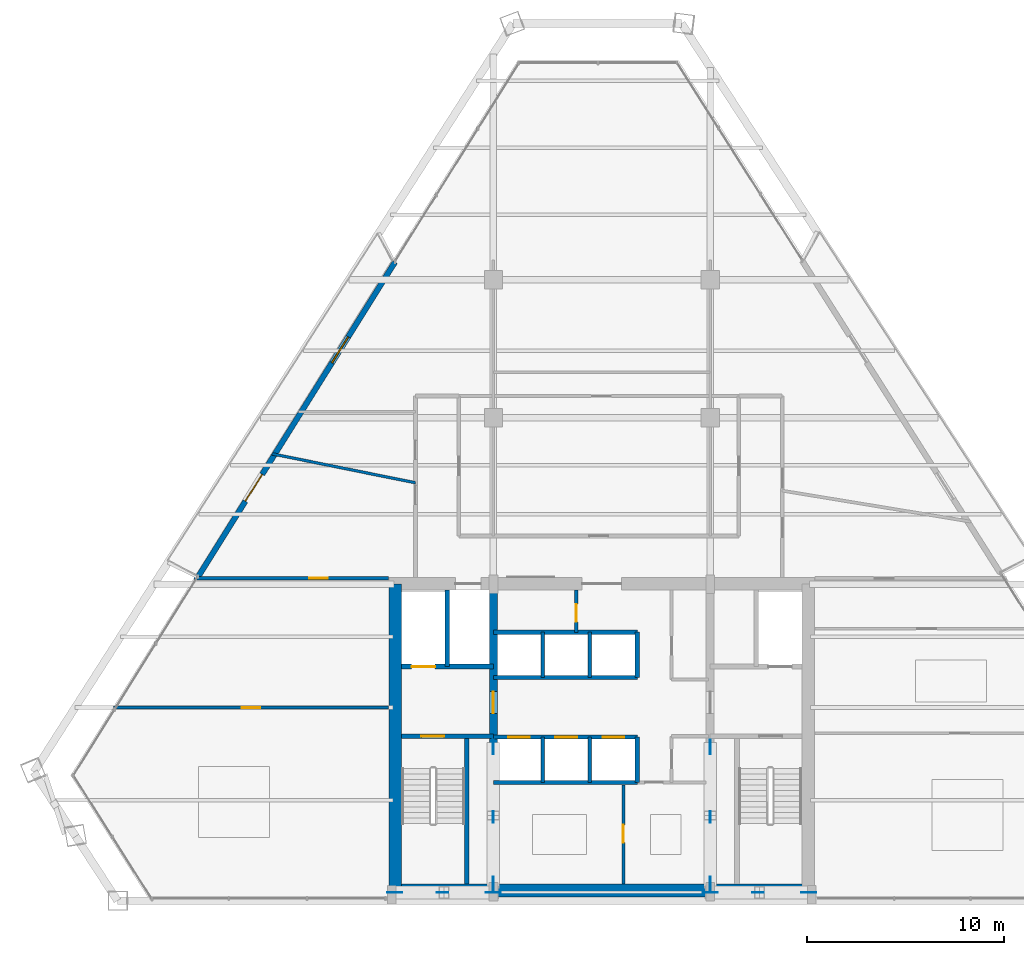
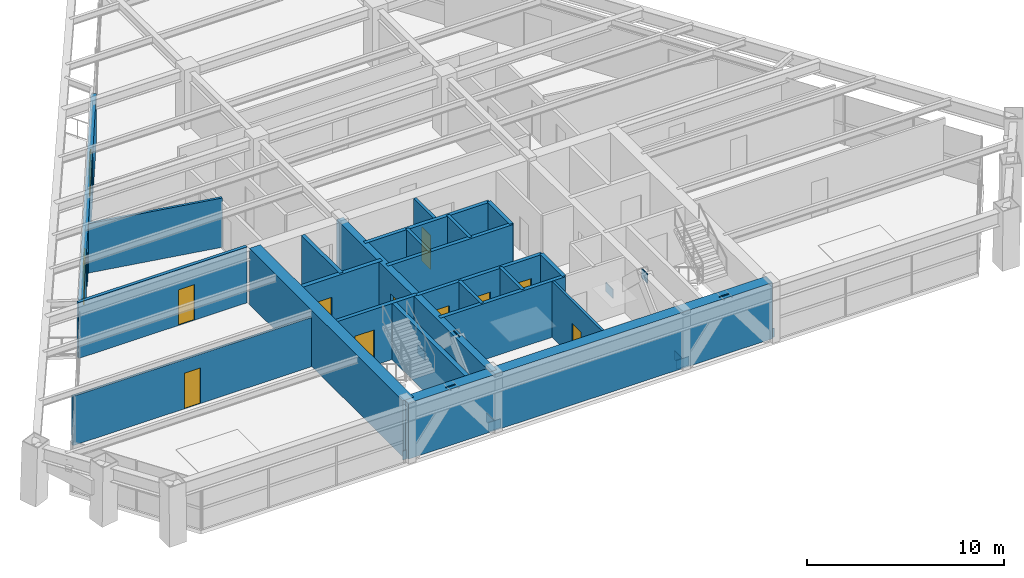
# One storey, part 11 of 15: 23 walls, 12 plates, 11 doors, 1 window, 12 openings.
"""IFC4 building model written with IfcOpenShell, lengths in metres."""

from ifc_helpers import new_model, si_unit, direction, frame, frame_2d, origin, origin_2d, place, context, subcontext, project, spatial, rectangle, extrude, source, transform, mapped, material, layer, layer_set, type_object, type_shapes, element, fill, save


model = new_model("IFC4")

# Units and contexts
model_context = context("Model", 3, precision=1e-05, world=origin(), true_north=direction((0.0, 1.0)))
body_context = subcontext(model_context, "Body", "Model", "MODEL_VIEW")
ifc_project = project(units=[si_unit("LENGTHUNIT", "METRE"), si_unit("AREAUNIT", "SQUARE_METRE"), si_unit("VOLUMEUNIT", "CUBIC_METRE"), si_unit("PLANEANGLEUNIT", "RADIAN"), si_unit("MASSUNIT", "GRAM", prefix="KILO")], contexts=[model_context])

# Site, building, storey
site_placement = place(None, origin())
site = spatial("IfcSite", under=ifc_project, at=site_placement, CompositionType="ELEMENT")
building_placement = place(site_placement, origin())
building = spatial("IfcBuilding", under=site, at=building_placement, Name="Varnakhor Terracotta Tower", CompositionType="ELEMENT")
storey_placement = place(building_placement, frame((0.0, 0.0, 178.39990234375)))
storey = spatial("IfcBuildingStorey", under=building, at=storey_placement, Name="L45", CompositionType="ELEMENT", Elevation=178.39990234375)

# Plates
ifc_material_1 = material(Name="Steel S460", Category="steel")
ifc_layer_1 = layer(ifc_material_1, 0.050048828125, Name="Steel S460")
ifc_layer_set_1 = layer_set([ifc_layer_1], Name="Steel S460")
plate_type = type_object("IfcPlateType", Name="PLT-GUSSET-50", PredefinedType="USERDEFINED", material=ifc_layer_set_1)
shared_shape_1 = source(origin(), body_context, "Body", "SweptSolid", [
    extrude(rectangle(XDim=0.75, YDim=0.0400390625, at=origin_2d()), origin(), (0.0, 0.0, 1.0), 0.550048828125),
])
type_shapes(plate_type, [shared_shape_1])
for number, where, z_axis, x_axis, name in (
    (1, (-10.5, 0.419921875, -0.0947265625), (0.0, 0.0, 1.0), (1.0, 0.0, 0.0), "L45 Core Brace Embed Plate CSWA"),
    (2, (-5.5, 0.419921875, -0.0947265625), (0.0, 0.0, 1.0), (1.0, 0.0, 0.0), "L45 Core Brace Embed Plate CSWB"),
    (3, (5.5, 0.419921875, -0.0947265625), (0.0, 0.0, 1.0), (1.0, 0.0, 0.0), "L45 Core Brace Embed Plate CSEA"),
    (4, (10.5, 0.419921875, -0.0947265625), (0.0, 0.0, 1.0), (1.0, 0.0, 0.0), "L45 Core Brace Embed Plate CSEB"),
    (5, (-5.5, 0.85009765625, -0.0947265625), (0.0, 0.0, 1.0), (0.0, 1.0, 0.0), "L45 Core Brace Embed Plate CWWA"),
    (6, (-5.5, 7.800048828125, -0.0947265625), (0.0, 0.0, 1.0), (0.0, 1.0, 0.0), "L45 Core Brace Embed Plate CWWB"),
    (7, (5.5, 0.85009765625, -0.0947265625), (0.0, 0.0, 1.0), (0.0, 1.0, 0.0), "L45 Core Brace Embed Plate CWEA"),
    (8, (5.5, 7.800048828125, -0.0947265625), (0.0, 0.0, 1.0), (0.0, 1.0, 0.0), "L45 Core Brace Embed Plate CWEB"),
):
    element("IfcPlate", number, at=place(storey_placement, frame(where, z_axis=z_axis, x_axis=x_axis)), inside=storey, type_object=plate_type, Name=name, ObjectType="GUSSET PLATE", PredefinedType="USERDEFINED", context=body_context, shape_type="MappedRepresentation", body=[
        mapped(shared_shape_1, transform((0.0, 0.0, 0.0), scale=1.0)),
    ])
shared_shape_2 = source(origin(), body_context, "Body", "SweptSolid", [
    extrude(rectangle(XDim=0.580078125, YDim=0.0400390625, at=origin_2d()), origin(), (0.0, 0.0, 1.0), 0.580078125),
])
for number, where, z_axis, x_axis, name in (
    (9, (-8.072265625, 0.419921875, 2.93408203125), (0.0, 0.0, 1.0), (1.0, 0.0, 0.0), "L45 Brace End Connection Plate 176"),
    (10, (7.927734375, 0.419921875, 2.93408203125), (0.0, 0.0, 1.0), (1.0, 0.0, 0.0), "L45 Brace End Connection Plate 177"),
    (11, (-5.5, 4.23828125, 2.947265625), (0.0, 0.0, 1.0), (0.0, 1.0, 0.0), "L45 Brace End Connection Plate 178"),
    (12, (5.5, 4.23828125, 2.947265625), (0.0, 0.0, 1.0), (0.0, 1.0, 0.0), "L45 Brace End Connection Plate 179"),
):
    element("IfcPlate", number, at=place(storey_placement, frame(where, z_axis=z_axis, x_axis=x_axis)), inside=storey, type_object=plate_type, Name=name, ObjectType="GUSSET PLATE", PredefinedType="USERDEFINED", context=body_context, shape_type="MappedRepresentation", body=[
        mapped(shared_shape_2, transform((0.0, 0.0, 0.0), scale=1.0)),
    ])

# Walls
ifc_material_2 = material(Name="Concrete C50/60", Category="concrete")
ifc_layer_2 = layer(ifc_material_2, 0.64990234375, Name="Concrete C50/60")
ifc_layer_set_2 = layer_set([ifc_layer_2], Name="Concrete C50/60")
wall_type_1 = type_object("IfcWallType", Name="WAL-CORE-650", PredefinedType="SHEAR", material=ifc_layer_set_2)
wall_1_placement = place(storey_placement, frame((-10.64990234375, 0.52490234375, 0.0), z_axis=(0.0, 0.0, 1.0), x_axis=(1.0, 0.0, 0.0)))
element("IfcWall", 13, at=wall_1_placement, inside=storey, type_object=wall_type_1, Name="L45 South Core Shear Wall", PredefinedType="SHEAR", context=body_context, shape_type="SweptSolid", body=[
    extrude(rectangle(XDim=21.2998046875, YDim=0.64990234375, at=frame_2d((10.64990234375, 0.0))), origin(), (0.0, 0.0, 1.0), 3.47021484375),
])
wall_2_placement = place(storey_placement, frame((-10.47509765625, 0.52490234375, 0.0), z_axis=(0.0, 0.0, 1.0), x_axis=(0.0, 1.0, 0.0)))
element("IfcWall", 14, at=wall_2_placement, inside=storey, type_object=wall_type_1, Name="L45 West Core Shear Wall", PredefinedType="SHEAR", context=body_context, shape_type="SweptSolid", body=[
    extrude(rectangle(XDim=15.550048828125, YDim=0.64990234375, at=frame_2d((7.77490234375, 0.0))), origin(), (0.0, 0.0, 1.0), 3.47021484375),
])

# Wall, opening, door
ifc_layer_3 = layer(ifc_material_2, 0.39990234375, Name="Concrete C50/60")
ifc_layer_set_3 = layer_set([ifc_layer_3], Name="Concrete C50/60")
wall_type_2 = type_object("IfcWallType", Name="WAL-CORE-WEB-400", PredefinedType="SHEAR", material=ifc_layer_set_3)
wall_3_placement = place(storey_placement, frame((-5.5, 0.52490234375, 0.0), z_axis=(0.0, 0.0, 1.0), x_axis=(0.0, 1.0, 0.0)))
wall_3 = element("IfcWall", 15, at=wall_3_placement, inside=storey, type_object=wall_type_2, Name="L45 West Core Web Shear Wall", PredefinedType="SHEAR", context=body_context, shape_type="SweptSolid", body=[
    extrude(rectangle(XDim=15.550048828125, YDim=0.39990234375, at=frame_2d((7.77490234375, 0.0))), origin(), (0.0, 0.0, 1.0), 3.47021484375),
])
opening_1_placement = place(wall_3_placement, frame((8.97509765625, 0.0, 0.0)))
opening_1 = element("IfcOpeningElement", 16, at=opening_1_placement, cuts=wall_3, Name="Opening DR-25", PredefinedType="OPENING", context=body_context, shape_type="SweptSolid", body=[
    extrude(rectangle(XDim=1.10009765625, YDim=2.199951171875, at=frame_2d((0.550048828125, 1.10009765625))), frame((0.0, 0.2099609375, 0.0), z_axis=(0.0, -1.0, 0.0), x_axis=(1.0, 0.0, 0.0)), (0.0, 0.0, 1.0), 0.419921875),
])
ifc_material_3 = material(Name="Firefighting Lobby Self-Closing Fire Door", Category="steel")
door_type_1 = type_object("IfcDoorType", Name="DR-FFL-1100X2200", OperationType="NOTDEFINED", PredefinedType="DOOR", material=ifc_material_3)
shared_shape_3 = source(origin(), body_context, "Body", "SweptSolid", [
    extrude(rectangle(XDim=1.10009765625, YDim=2.199951171875, at=frame_2d((0.550048828125, 1.10009765625))), frame((0.0, 0.02490234375, 0.0), z_axis=(0.0, -1.0, 0.0), x_axis=(1.0, 0.0, 0.0)), (0.0, 0.0, 1.0), 0.050048828125),
])
type_shapes(door_type_1, [shared_shape_3])
door_1_placement = place(opening_1_placement, origin())
door_1 = element("IfcDoor", 17, at=door_1_placement, inside=storey, type_object=door_type_1, Name="L45 West Firefighting Lobby Door", OperationType="SINGLE_SWING_LEFT", OverallHeight=2.199951171875, OverallWidth=1.10009765625, PredefinedType="DOOR", context=body_context, shape_type="MappedRepresentation", body=[
    mapped(shared_shape_3, transform((0.0, 0.0, 0.0), scale=1.0)),
])
fill(opening_1, door_1)

ifc_material_4 = material(Name="Fire-Rated Gypsum Stud Partition", Category="gypsum")
ifc_layer_4 = layer(ifc_material_4, 0.18505859375, Name="Fire-Rated Gypsum Stud Partition")
ifc_layer_set_4 = layer_set([ifc_layer_4], Name="Fire-Rated Gypsum Stud Partition")
wall_type_3 = type_object("IfcWallType", Name="WAL-CORR-185", PredefinedType="PARTITIONING", material=ifc_layer_set_4)
wall_4_placement = place(storey_placement, frame((-20.6796875, 16.35009765625, 0.0), z_axis=(0.0, 0.0, 1.0), x_axis=(1.0, 0.0, 0.0)))
wall_4 = element("IfcWall", 18, at=wall_4_placement, inside=storey, type_object=wall_type_3, Name="L45 South West Entry Wall", PredefinedType="PARTITIONING", context=body_context, shape_type="SweptSolid", body=[
    extrude(rectangle(XDim=9.859619140625, YDim=0.18505859375, at=frame_2d((4.9296875, 0.0))), origin(), (0.0, 0.0, 1.0), 3.462158203125),
])
opening_2_placement = place(wall_4_placement, frame((5.831787109375, 0.0, 0.0)))
opening_2 = element("IfcOpeningElement", 19, at=opening_2_placement, cuts=wall_4, Name="Opening DR-94", PredefinedType="OPENING", context=body_context, shape_type="SweptSolid", body=[
    extrude(rectangle(XDim=0.949951171875, YDim=2.199951171875, at=frame_2d((0.47509765625, 1.10009765625))), frame((0.0, 0.1025390625, 0.0), z_axis=(0.0, -1.0, 0.0), x_axis=(1.0, 0.0, 0.0)), (0.0, 0.0, 1.0), 0.205078125),
])
ifc_material_5 = material(Name="Acoustic Glazed-Vision Timber Office Door", Category="wood")
door_type_2 = type_object("IfcDoorType", Name="DR-OFF-950X2200", OperationType="NOTDEFINED", PredefinedType="DOOR", material=ifc_material_5)
shared_shape_4 = source(origin(), body_context, "Body", "SweptSolid", [
    extrude(rectangle(XDim=0.949951171875, YDim=2.199951171875, at=frame_2d((0.47509765625, 1.10009765625))), frame((0.0, 0.02490234375, 0.0), z_axis=(0.0, -1.0, 0.0), x_axis=(1.0, 0.0, 0.0)), (0.0, 0.0, 1.0), 0.050048828125),
])
type_shapes(door_type_2, [shared_shape_4])
door_2_placement = place(opening_2_placement, origin())
door_2 = element("IfcDoor", 20, at=door_2_placement, inside=storey, type_object=door_type_2, Name="L45 SW Suite Door", OperationType="SINGLE_SWING_RIGHT", OverallHeight=2.199951171875, OverallWidth=0.949951171875, PredefinedType="DOOR", context=body_context, shape_type="MappedRepresentation", body=[
    mapped(shared_shape_4, transform((0.0, 0.0, 0.0), scale=1.0)),
])
fill(opening_2, door_2)

# Wall, openings, door, window
ifc_material_6 = material(Name="Extruded Architectural Terracotta Assembly", Category="masonry")
ifc_layer_5 = layer(ifc_material_6, 0.280029296875, Name="Extruded Architectural Terracotta Assembly")
ifc_layer_set_5 = layer_set([ifc_layer_5], Name="Extruded Architectural Terracotta Assembly")
wall_type_4 = type_object("IfcWallType", Name="WAL-EXT-TERRACOTTA-280", PredefinedType="SOLIDWALL", material=ifc_layer_set_5)
wall_5_placement = place(storey_placement, frame((-20.471435546875, 16.43798828125, 0.0), z_axis=(0.0, 0.0, 1.0), x_axis=(0.530368533609, 0.847767195967, 0.0)))
wall_5 = element("IfcWall", 21, at=wall_5_placement, inside=storey, type_object=wall_type_4, Name="L45 W Loggia Insulated Terracotta Wall", PredefinedType="SOLIDWALL", context=body_context, shape_type="SweptSolid", body=[
    extrude(rectangle(XDim=18.81982421875, YDim=0.280029296875, at=frame_2d((9.409912109375, 0.0))), origin(), (0.0, 0.0, 1.0), 3.050048828125),
])
opening_3_placement = place(wall_5_placement, frame((4.516845703125, 0.0, 0.0)))
opening_3 = element("IfcOpeningElement", 22, at=opening_3_placement, cuts=wall_5, Name="Opening DR-62", PredefinedType="OPENING", context=body_context, shape_type="SweptSolid", body=[
    extrude(rectangle(XDim=1.60009765625, YDim=2.35009765625, at=frame_2d((0.800048828125, 1.175048828125))), frame((0.0, 0.14990234375, 0.0), z_axis=(0.0, -1.0, 0.0), x_axis=(1.0, 0.0, 0.0)), (0.0, 0.0, 1.0), 0.300048828125),
])
opening_4_placement = place(wall_5_placement, frame((12.797607421875, 0.0, 0.89990234375)))
opening_4 = element("IfcOpeningElement", 23, at=opening_4_placement, cuts=wall_5, Name="Opening WN-57", PredefinedType="OPENING", context=body_context, shape_type="SweptSolid", body=[
    extrude(rectangle(XDim=1.550048828125, YDim=1.85009765625, at=frame_2d((0.77490234375, 0.925048828125))), frame((0.0, 0.14990234375, 0.0), z_axis=(0.0, -1.0, 0.0), x_axis=(1.0, 0.0, 0.0)), (0.0, 0.0, 1.0), 0.300048828125),
])
ifc_material_7 = material(Name="Thermally Broken Sliding Glass Loggia Door", Category="glass")
door_type_3 = type_object("IfcDoorType", Name="DR-EXT-LOGGIA-1600X2350", OperationType="NOTDEFINED", PredefinedType="DOOR", material=ifc_material_7)
shared_shape_5 = source(origin(), body_context, "Body", "SweptSolid", [
    extrude(rectangle(XDim=1.60009765625, YDim=2.35009765625, at=frame_2d((0.800048828125, 1.175048828125))), frame((0.0, 0.02490234375, 0.0), z_axis=(0.0, -1.0, 0.0), x_axis=(1.0, 0.0, 0.0)), (0.0, 0.0, 1.0), 0.050048828125),
])
type_shapes(door_type_3, [shared_shape_5])
door_3_placement = place(opening_3_placement, origin())
door_3 = element("IfcDoor", 24, at=door_3_placement, inside=storey, type_object=door_type_3, Name="L45 W Recessed Loggia Sliding Door", OperationType="SLIDING_TO_LEFT", OverallHeight=2.35009765625, OverallWidth=1.60009765625, PredefinedType="DOOR", context=body_context, shape_type="MappedRepresentation", body=[
    mapped(shared_shape_5, transform((0.0, 0.0, 0.0), scale=1.0)),
])
fill(opening_3, door_3)
ifc_material_8 = material(Name="Solar-Control Low-E Insulated Glass Unit", Category="glass")
window_type = type_object("IfcWindowType", Name="WIN-OFF-1650X2100", PartitioningType="SINGLE_PANEL", PredefinedType="WINDOW", material=ifc_material_8)
shared_shape_6 = source(origin(), body_context, "Body", "SweptSolid", [
    extrude(rectangle(XDim=1.550048828125, YDim=1.85009765625, at=frame_2d((0.77490234375, 0.925048828125))), frame((0.0, 0.030029296875, 0.0), z_axis=(0.0, -1.0, 0.0), x_axis=(1.0, 0.0, 0.0)), (0.0, 0.0, 1.0), 0.06005859375),
])
type_shapes(window_type, [shared_shape_6])
window_placement = place(opening_4_placement, origin())
window = element("IfcWindow", 25, at=window_placement, inside=storey, type_object=window_type, Name="L45 W Facet Punched Window", OverallHeight=1.85009765625, OverallWidth=1.550048828125, PartitioningType="SINGLE_PANEL", PredefinedType="WINDOW", context=body_context, shape_type="MappedRepresentation", body=[
    mapped(shared_shape_6, transform((0.0, 0.0, 0.0), scale=1.0)),
])
fill(opening_4, window)

# Wall, opening, door
ifc_material_9 = material(Name="Concrete C40/50", Category="concrete")
ifc_layer_6 = layer(ifc_material_9, 0.219970703125, Name="Concrete C40/50")
ifc_layer_set_6 = layer_set([ifc_layer_6], Name="Concrete C40/50")
wall_type_5 = type_object("IfcWallType", Name="WAL-FFLOBBY-220", PredefinedType="SOLIDWALL", material=ifc_layer_set_6)
wall_6_placement = place(storey_placement, frame((-5.5, 8.35009765625, 0.0), z_axis=(0.0, 0.0, 1.0), x_axis=(-1.0, 0.0, 0.0)))
wall_6 = element("IfcWall", 26, at=wall_6_placement, inside=storey, type_object=wall_type_5, Name="L45 West Firefighting Lobby Stair Wall", PredefinedType="SOLIDWALL", context=body_context, shape_type="SweptSolid", body=[
    extrude(rectangle(XDim=4.64990234375, YDim=0.219970703125, at=frame_2d((2.324951171875, 0.0))), origin(), (0.0, 0.0, 1.0), 3.47021484375),
])
opening_5_placement = place(wall_6_placement, frame((2.5, 0.0, 0.0)))
opening_5 = element("IfcOpeningElement", 27, at=opening_5_placement, cuts=wall_6, Name="Opening DR-34", PredefinedType="OPENING", context=body_context, shape_type="SweptSolid", body=[
    extrude(rectangle(XDim=1.14990234375, YDim=2.199951171875, at=frame_2d((0.574951171875, 1.10009765625))), frame((0.0, 0.1201171875, 0.0), z_axis=(0.0, -1.0, 0.0), x_axis=(1.0, 0.0, 0.0)), (0.0, 0.0, 1.0), 0.239990234375),
])
ifc_material_10 = material(Name="Self-Closing Smoke-Sealed Steel Fire Door", Category="steel")
door_type_4 = type_object("IfcDoorType", Name="DR-STAIR-1150X2200", OperationType="NOTDEFINED", PredefinedType="DOOR", material=ifc_material_10)
shared_shape_7 = source(origin(), body_context, "Body", "SweptSolid", [
    extrude(rectangle(XDim=1.14990234375, YDim=2.199951171875, at=frame_2d((0.574951171875, 1.10009765625))), frame((0.0, 0.02490234375, 0.0), z_axis=(0.0, -1.0, 0.0), x_axis=(1.0, 0.0, 0.0)), (0.0, 0.0, 1.0), 0.050048828125),
])
type_shapes(door_type_4, [shared_shape_7])
door_4_placement = place(opening_5_placement, origin())
door_4 = element("IfcDoor", 28, at=door_4_placement, inside=storey, type_object=door_type_4, Name="L45 Exit Stair ST-1 Fire Door", OperationType="SINGLE_SWING_RIGHT", OverallHeight=2.199951171875, OverallWidth=1.14990234375, PredefinedType="DOOR", context=body_context, shape_type="MappedRepresentation", body=[
    mapped(shared_shape_7, transform((0.0, 0.0, 0.0), scale=1.0)),
])
fill(opening_5, door_4)

ifc_material_11 = material(Name="Acoustic Metal-Stud Partition", Category="gypsum")
ifc_layer_7 = layer(ifc_material_11, 0.139892578125, Name="Acoustic Metal-Stud Partition")
ifc_layer_set_7 = layer_set([ifc_layer_7], Name="Acoustic Metal-Stud Partition")
wall_type_6 = type_object("IfcWallType", Name="WAL-PART-140", PredefinedType="PARTITIONING", material=ifc_layer_set_7)
wall_7_placement = place(storey_placement, frame((-24.77734375, 9.800048828125, 0.0), z_axis=(0.0, 0.0, 1.0), x_axis=(1.0, 0.0, 0.0)))
wall_7 = element("IfcWall", 29, at=wall_7_placement, inside=storey, type_object=wall_type_6, Name="L45 West Wing Cut 1", PredefinedType="PARTITIONING", context=body_context, shape_type="SweptSolid", body=[
    extrude(rectangle(XDim=13.957275390625, YDim=0.139892578125, at=frame_2d((6.978515625, 0.0))), origin(), (0.0, 0.0, 1.0), 3.049072265625),
])
opening_6_placement = place(wall_7_placement, frame((6.510498046875, 0.0, 0.0)))
opening_6 = element("IfcOpeningElement", 30, at=opening_6_placement, cuts=wall_7, Name="Opening DR-94", PredefinedType="OPENING", context=body_context, shape_type="SweptSolid", body=[
    extrude(rectangle(XDim=0.949951171875, YDim=2.199951171875, at=frame_2d((0.47509765625, 1.10009765625))), frame((0.0, 0.080078125, 0.0), z_axis=(0.0, -1.0, 0.0), x_axis=(1.0, 0.0, 0.0)), (0.0, 0.0, 1.0), 0.159912109375),
])
door_5_placement = place(opening_6_placement, origin())
door_5 = element("IfcDoor", 31, at=door_5_placement, inside=storey, type_object=door_type_2, Name="L45 Partner Office 5 Door", OperationType="SINGLE_SWING_RIGHT", OverallHeight=2.199951171875, OverallWidth=0.949951171875, PredefinedType="DOOR", context=body_context, shape_type="MappedRepresentation", body=[
    mapped(shared_shape_4, transform((0.0, 0.0, 0.0), scale=1.0)),
])
fill(opening_6, door_5)

# Walls
wall_8_placement = place(storey_placement, frame((-16.7275390625, 22.66748046875, 0.0), z_axis=(0.0, 0.0, 1.0), x_axis=(0.980268299124, -0.197671600726, 0.0)))
element("IfcWall", 32, at=wall_8_placement, inside=storey, type_object=wall_type_6, Name="L45 West Wing Cut 2", PredefinedType="PARTITIONING", context=body_context, shape_type="SweptSolid", body=[
    extrude(rectangle(XDim=7.424072265625, YDim=0.139892578125, at=frame_2d((3.7119140625, 0.0))), origin(), (0.0, 0.0, 1.0), 3.049072265625),
])
ifc_layer_8 = layer(ifc_material_9, 0.179931640625, Name="Concrete C40/50")
ifc_layer_set_8 = layer_set([ifc_layer_8], Name="Concrete C40/50")
wall_type_7 = type_object("IfcWallType", Name="WAL-SHAFT-180", PredefinedType="SOLIDWALL", material=ifc_layer_set_8)
for number, where, z_axis, x_axis, name in (
    (33, (-3.0, 6.0, 0.0), (0.0, 0.0, 1.0), (0.0, 1.0, 0.0), "L45 PL-2A Divider"),
    (34, (-0.60009765625, 6.0, 0.0), (0.0, 0.0, 1.0), (0.0, 1.0, 0.0), "L45 PL-2B Divider"),
    (35, (-3.0, 11.320068359375, 0.0), (0.0, 0.0, 1.0), (0.0, 1.0, 0.0), "L45 PL-3A Divider"),
    (36, (-0.60009765625, 11.320068359375, 0.0), (0.0, 0.0, 1.0), (0.0, 1.0, 0.0), "L45 PL-3B Divider"),
):
    element("IfcWall", number, at=place(storey_placement, frame(where, z_axis=z_axis, x_axis=x_axis)), inside=storey, type_object=wall_type_7, Name=name, PredefinedType="SOLIDWALL", context=body_context, shape_type="SweptSolid", body=[
        extrude(rectangle(XDim=2.300048828125, YDim=0.179931640625, at=frame_2d((1.14990234375, 0.0))), origin(), (0.0, 0.0, 1.0), 3.47021484375),
    ])
ifc_layer_9 = layer(ifc_material_9, 0.219970703125, Name="Concrete C40/50")
ifc_layer_set_9 = layer_set([ifc_layer_9], Name="Concrete C40/50")
wall_type_8 = type_object("IfcWallType", Name="WAL-SHAFT-220", PredefinedType="SOLIDWALL", material=ifc_layer_set_9)
wall_9_placement = place(storey_placement, frame((-7.840087890625, 11.8701171875, 0.0), z_axis=(0.0, 0.0, 1.0), x_axis=(0.0, 1.0, 0.0)))
element("IfcWall", 37, at=wall_9_placement, inside=storey, type_object=wall_type_8, Name="L45 Lift FFL-1 and SVL-1 Divider Wall", PredefinedType="SOLIDWALL", context=body_context, shape_type="SweptSolid", body=[
    extrude(rectangle(XDim=3.8798828125, YDim=0.219970703125, at=frame_2d((1.93994140625, 0.0))), origin(), (0.0, 0.0, 1.0), 3.47021484375),
])
wall_10_placement = place(storey_placement, frame((-5.5, 6.0, 0.0), z_axis=(0.0, 0.0, 1.0), x_axis=(1.0, 0.0, 0.0)))
element("IfcWall", 38, at=wall_10_placement, inside=storey, type_object=wall_type_8, Name="L45 Bank 2 South Shaft Wall", PredefinedType="SOLIDWALL", context=body_context, shape_type="SweptSolid", body=[
    extrude(rectangle(XDim=7.320068359375, YDim=0.219970703125, at=frame_2d((3.66015625, 0.0))), origin(), (0.0, 0.0, 1.0), 3.47021484375),
])

# Wall, openings, doors
wall_11_placement = place(storey_placement, frame((-5.5, 8.300048828125, 0.0), z_axis=(0.0, 0.0, 1.0), x_axis=(1.0, 0.0, 0.0)))
wall_11 = element("IfcWall", 39, at=wall_11_placement, inside=storey, type_object=wall_type_8, Name="L45 Bank 2 North Shaft Wall", PredefinedType="SOLIDWALL", context=body_context, shape_type="SweptSolid", body=[
    extrude(rectangle(XDim=7.320068359375, YDim=0.219970703125, at=frame_2d((3.66015625, 0.0))), origin(), (0.0, 0.0, 1.0), 3.47021484375),
])
opening_7_placement = place(wall_11_placement, frame((0.75, 0.0, 0.0)))
opening_7 = element("IfcOpeningElement", 40, at=opening_7_placement, cuts=wall_11, Name="Opening LD-01", PredefinedType="OPENING", context=body_context, shape_type="SweptSolid", body=[
    extrude(rectangle(XDim=1.10009765625, YDim=2.199951171875, at=frame_2d((0.550048828125, 1.10009765625))), frame((0.0, 0.1201171875, 0.0), z_axis=(0.0, -1.0, 0.0), x_axis=(1.0, 0.0, 0.0)), (0.0, 0.0, 1.0), 0.239990234375),
])
opening_8_placement = place(wall_11_placement, frame((3.14990234375, 0.0, 0.0)))
opening_8 = element("IfcOpeningElement", 41, at=opening_8_placement, cuts=wall_11, Name="Opening LD-01", PredefinedType="OPENING", context=body_context, shape_type="SweptSolid", body=[
    extrude(rectangle(XDim=1.10009765625, YDim=2.199951171875, at=frame_2d((0.550048828125, 1.10009765625))), frame((0.0, 0.1201171875, 0.0), z_axis=(0.0, -1.0, 0.0), x_axis=(1.0, 0.0, 0.0)), (0.0, 0.0, 1.0), 0.239990234375),
])
opening_9_placement = place(wall_11_placement, frame((5.550048828125, 0.0, 0.0)))
opening_9 = element("IfcOpeningElement", 42, at=opening_9_placement, cuts=wall_11, Name="Opening LD-01", PredefinedType="OPENING", context=body_context, shape_type="SweptSolid", body=[
    extrude(rectangle(XDim=1.10009765625, YDim=2.199951171875, at=frame_2d((0.550048828125, 1.10009765625))), frame((0.0, 0.1201171875, 0.0), z_axis=(0.0, -1.0, 0.0), x_axis=(1.0, 0.0, 0.0)), (0.0, 0.0, 1.0), 0.239990234375),
])
ifc_material_12 = material(Name="Brushed Stainless Steel Sliding Lift Landing Door", Category="steel")
door_type_5 = type_object("IfcDoorType", Name="LD-PASS-1100X2200", OperationType="NOTDEFINED", PredefinedType="DOOR", material=ifc_material_12)
shared_shape_8 = source(origin(), body_context, "Body", "SweptSolid", [
    extrude(rectangle(XDim=1.10009765625, YDim=2.199951171875, at=frame_2d((0.550048828125, 1.10009765625))), frame((0.0, 0.02490234375, 0.0), z_axis=(0.0, -1.0, 0.0), x_axis=(1.0, 0.0, 0.0)), (0.0, 0.0, 1.0), 0.050048828125),
])
type_shapes(door_type_5, [shared_shape_8])
door_6_placement = place(opening_7_placement, origin())
door_6 = element("IfcDoor", 43, at=door_6_placement, inside=storey, type_object=door_type_5, Name="L45 Passenger Lift PL-2A Landing Door", OperationType="SLIDING_TO_LEFT", OverallHeight=2.199951171875, OverallWidth=1.10009765625, PredefinedType="DOOR", context=body_context, shape_type="MappedRepresentation", body=[
    mapped(shared_shape_8, transform((0.0, 0.0, 0.0), scale=1.0)),
])
fill(opening_7, door_6)
door_7_placement = place(opening_8_placement, origin())
door_7 = element("IfcDoor", 44, at=door_7_placement, inside=storey, type_object=door_type_5, Name="L45 Passenger Lift PL-2B Landing Door", OperationType="SLIDING_TO_LEFT", OverallHeight=2.199951171875, OverallWidth=1.10009765625, PredefinedType="DOOR", context=body_context, shape_type="MappedRepresentation", body=[
    mapped(shared_shape_8, transform((0.0, 0.0, 0.0), scale=1.0)),
])
fill(opening_8, door_7)
door_8_placement = place(opening_9_placement, origin())
door_8 = element("IfcDoor", 45, at=door_8_placement, inside=storey, type_object=door_type_5, Name="L45 Passenger Lift PL-2C Landing Door", OperationType="SLIDING_TO_LEFT", OverallHeight=2.199951171875, OverallWidth=1.10009765625, PredefinedType="DOOR", context=body_context, shape_type="MappedRepresentation", body=[
    mapped(shared_shape_8, transform((0.0, 0.0, 0.0), scale=1.0)),
])
fill(opening_9, door_8)

# Walls
wall_12_placement = place(storey_placement, frame((1.800048828125, 6.0, 0.0), z_axis=(0.0, 0.0, 1.0), x_axis=(0.0, 1.0, 0.0)))
element("IfcWall", 46, at=wall_12_placement, inside=storey, type_object=wall_type_8, Name="L45 Bank 2 East Shaft Wall", PredefinedType="SOLIDWALL", context=body_context, shape_type="SweptSolid", body=[
    extrude(rectangle(XDim=2.300048828125, YDim=0.219970703125, at=frame_2d((1.14990234375, 0.0))), origin(), (0.0, 0.0, 1.0), 3.47021484375),
])
for number, where, z_axis, x_axis, name in (
    (47, (-5.5, 11.320068359375, 0.0), (0.0, 0.0, 1.0), (1.0, 0.0, 0.0), "L45 Bank 3 South Shaft Wall"),
    (48, (-5.5, 13.6201171875, 0.0), (0.0, 0.0, 1.0), (1.0, 0.0, 0.0), "L45 Bank 3 North Shaft Wall"),
):
    element("IfcWall", number, at=place(storey_placement, frame(where, z_axis=z_axis, x_axis=x_axis)), inside=storey, type_object=wall_type_8, Name=name, PredefinedType="SOLIDWALL", context=body_context, shape_type="SweptSolid", body=[
        extrude(rectangle(XDim=7.320068359375, YDim=0.219970703125, at=frame_2d((3.66015625, 0.0))), origin(), (0.0, 0.0, 1.0), 3.47021484375),
    ])
wall_13_placement = place(storey_placement, frame((1.800048828125, 11.320068359375, 0.0), z_axis=(0.0, 0.0, 1.0), x_axis=(0.0, 1.0, 0.0)))
element("IfcWall", 49, at=wall_13_placement, inside=storey, type_object=wall_type_8, Name="L45 Bank 3 East Shaft Wall", PredefinedType="SOLIDWALL", context=body_context, shape_type="SweptSolid", body=[
    extrude(rectangle(XDim=2.300048828125, YDim=0.219970703125, at=frame_2d((1.14990234375, 0.0))), origin(), (0.0, 0.0, 1.0), 3.47021484375),
])
ifc_layer_10 = layer(ifc_material_9, 0.25, Name="Concrete C40/50")
ifc_layer_set_10 = layer_set([ifc_layer_10], Name="Concrete C40/50")
wall_type_9 = type_object("IfcWallType", Name="WAL-SHAFT-250", PredefinedType="SOLIDWALL", material=ifc_layer_set_10)
wall_14_placement = place(storey_placement, frame((-6.85009765625, 0.85009765625, 0.0), z_axis=(0.0, 0.0, 1.0), x_axis=(0.0, 1.0, 0.0)))
element("IfcWall", 50, at=wall_14_placement, inside=storey, type_object=wall_type_9, Name="L45 Stair ST-1 Bearing Shaft Wall", PredefinedType="SOLIDWALL", context=body_context, shape_type="SweptSolid", body=[
    extrude(rectangle(XDim=7.5, YDim=0.25, at=frame_2d((3.75, 0.0))), origin(), (0.0, 0.0, 1.0), 3.47021484375),
])

# Wall, opening, door
wall_15_placement = place(storey_placement, frame((-5.5, 11.8701171875, 0.0), z_axis=(0.0, 0.0, 1.0), x_axis=(-1.0, 0.0, 0.0)))
wall_15 = element("IfcWall", 51, at=wall_15_placement, inside=storey, type_object=wall_type_9, Name="L45 Lift FFL-1 Shaft Front Wall", PredefinedType="SOLIDWALL", context=body_context, shape_type="SweptSolid", body=[
    extrude(rectangle(XDim=4.64990234375, YDim=0.25, at=frame_2d((2.324951171875, 0.0))), origin(), (0.0, 0.0, 1.0), 3.47021484375),
])
opening_10_placement = place(wall_15_placement, frame((2.949951171875, 0.0, 0.0)))
opening_10 = element("IfcOpeningElement", 52, at=opening_10_placement, cuts=wall_15, Name="Opening LD-02", PredefinedType="OPENING", context=body_context, shape_type="SweptSolid", body=[
    extrude(rectangle(XDim=1.199951171875, YDim=2.25, at=frame_2d((0.60009765625, 1.125))), frame((0.0, 0.135009765625, 0.0), z_axis=(0.0, -1.0, 0.0), x_axis=(1.0, 0.0, 0.0)), (0.0, 0.0, 1.0), 0.27001953125),
])
ifc_material_13 = material(Name="Firefighting Stretcher Sliding Lift Landing Door", Category="steel")
door_type_6 = type_object("IfcDoorType", Name="LD-FFL-1200X2250", OperationType="NOTDEFINED", PredefinedType="DOOR", material=ifc_material_13)
shared_shape_9 = source(origin(), body_context, "Body", "SweptSolid", [
    extrude(rectangle(XDim=1.199951171875, YDim=2.25, at=frame_2d((0.60009765625, 1.125))), frame((0.0, 0.02490234375, 0.0), z_axis=(0.0, -1.0, 0.0), x_axis=(1.0, 0.0, 0.0)), (0.0, 0.0, 1.0), 0.050048828125),
])
type_shapes(door_type_6, [shared_shape_9])
door_9_placement = place(opening_10_placement, origin())
door_9 = element("IfcDoor", 53, at=door_9_placement, inside=storey, type_object=door_type_6, Name="L45 Firefighting Lift FFL-1 Landing Door", OperationType="SLIDING_TO_LEFT", OverallHeight=2.25, OverallWidth=1.199951171875, PredefinedType="DOOR", context=body_context, shape_type="MappedRepresentation", body=[
    mapped(shared_shape_9, transform((0.0, 0.0, 0.0), scale=1.0)),
])
fill(opening_10, door_9)

ifc_material_14 = material(Name="Acoustic Fire-Rated Partition", Category="gypsum")
ifc_layer_11 = layer(ifc_material_14, 0.139892578125, Name="Acoustic Fire-Rated Partition")
ifc_layer_set_11 = layer_set([ifc_layer_11], Name="Acoustic Fire-Rated Partition")
wall_type_10 = type_object("IfcWallType", Name="WAL-TENANCY-140", PredefinedType="PARTITIONING", material=ifc_layer_set_11)
wall_16_placement = place(storey_placement, frame((1.10009765625, 0.85009765625, 0.0), z_axis=(0.0, 0.0, 1.0), x_axis=(0.0, 1.0, 0.0)))
wall_16 = element("IfcWall", 54, at=wall_16_placement, inside=storey, type_object=wall_type_10, Name="L45 Reclaimed Core Bay Split Wall", PredefinedType="PARTITIONING", context=body_context, shape_type="SweptSolid", body=[
    extrude(rectangle(XDim=5.02978515625, YDim=0.139892578125, at=frame_2d((2.514892578125, 0.0))), origin(), (0.0, 0.0, 1.0), 3.462158203125),
])
opening_11_placement = place(wall_16_placement, frame((2.10009765625, 0.0, 0.0)))
opening_11 = element("IfcOpeningElement", 55, at=opening_11_placement, cuts=wall_16, Name="Opening DR-67", PredefinedType="OPENING", context=body_context, shape_type="SweptSolid", body=[
    extrude(rectangle(XDim=0.89990234375, YDim=2.10009765625, at=frame_2d((0.449951171875, 1.050048828125))), frame((0.0, 0.080078125, 0.0), z_axis=(0.0, -1.0, 0.0), x_axis=(1.0, 0.0, 0.0)), (0.0, 0.0, 1.0), 0.159912109375),
])
ifc_material_15 = material(Name="Steel Service Riser Fire Door", Category="steel")
door_type_7 = type_object("IfcDoorType", Name="DR-RISER-900X2100", OperationType="NOTDEFINED", PredefinedType="DOOR", material=ifc_material_15)
shared_shape_10 = source(origin(), body_context, "Body", "SweptSolid", [
    extrude(rectangle(XDim=0.89990234375, YDim=2.10009765625, at=frame_2d((0.449951171875, 1.050048828125))), frame((0.0, 0.02490234375, 0.0), z_axis=(0.0, -1.0, 0.0), x_axis=(1.0, 0.0, 0.0)), (0.0, 0.0, 1.0), 0.050048828125),
])
type_shapes(door_type_7, [shared_shape_10])
door_10_placement = place(opening_11_placement, origin())
door_10 = element("IfcDoor", 56, at=door_10_placement, inside=storey, type_object=door_type_7, Name="L45 Core Inner Service Door", OperationType="SINGLE_SWING_LEFT", OverallHeight=2.10009765625, OverallWidth=0.89990234375, PredefinedType="DOOR", context=body_context, shape_type="MappedRepresentation", body=[
    mapped(shared_shape_10, transform((0.0, 0.0, 0.0), scale=1.0)),
])
fill(opening_11, door_10)

ifc_layer_12 = layer(ifc_material_14, 0.1650390625, Name="Acoustic Fire-Rated Partition")
ifc_layer_set_12 = layer_set([ifc_layer_12], Name="Acoustic Fire-Rated Partition")
wall_type_11 = type_object("IfcWallType", Name="WAL-TENANCY-165", PredefinedType="PARTITIONING", material=ifc_layer_set_12)
wall_17_placement = place(storey_placement, frame((-1.300048828125, 13.60009765625, 0.0), z_axis=(0.0, 0.0, 1.0), x_axis=(0.0, 1.0, 0.0)))
wall_17 = element("IfcWall", 57, at=wall_17_placement, inside=storey, type_object=wall_type_11, Name="L45 Male Restroom Wall", PredefinedType="PARTITIONING", context=body_context, shape_type="SweptSolid", body=[
    extrude(rectangle(XDim=2.14990234375, YDim=0.1650390625, at=frame_2d((1.074951171875, 0.0))), origin(), (0.0, 0.0, 1.0), 3.462158203125),
])
opening_12_placement = place(wall_17_placement, frame((0.550048828125, 0.0, 0.0)))
opening_12 = element("IfcOpeningElement", 58, at=opening_12_placement, cuts=wall_17, Name="Opening DR-67", PredefinedType="OPENING", context=body_context, shape_type="SweptSolid", body=[
    extrude(rectangle(XDim=0.89990234375, YDim=2.10009765625, at=frame_2d((0.449951171875, 1.050048828125))), frame((0.0, 0.092529296875, 0.0), z_axis=(0.0, -1.0, 0.0), x_axis=(1.0, 0.0, 0.0)), (0.0, 0.0, 1.0), 0.18505859375),
])
door_11_placement = place(opening_12_placement, origin())
door_11 = element("IfcDoor", 59, at=door_11_placement, inside=storey, type_object=door_type_7, Name="L45 Male WC Door", OperationType="SINGLE_SWING_LEFT", OverallHeight=2.10009765625, OverallWidth=0.89990234375, PredefinedType="DOOR", context=body_context, shape_type="MappedRepresentation", body=[
    mapped(shared_shape_10, transform((0.0, 0.0, 0.0), scale=1.0)),
])
fill(opening_12, door_11)

save(model, "model.ifc")
